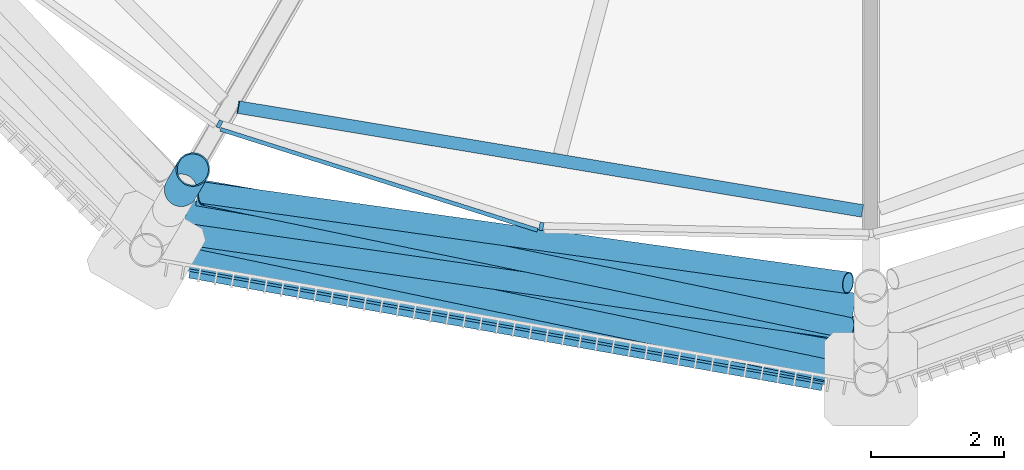
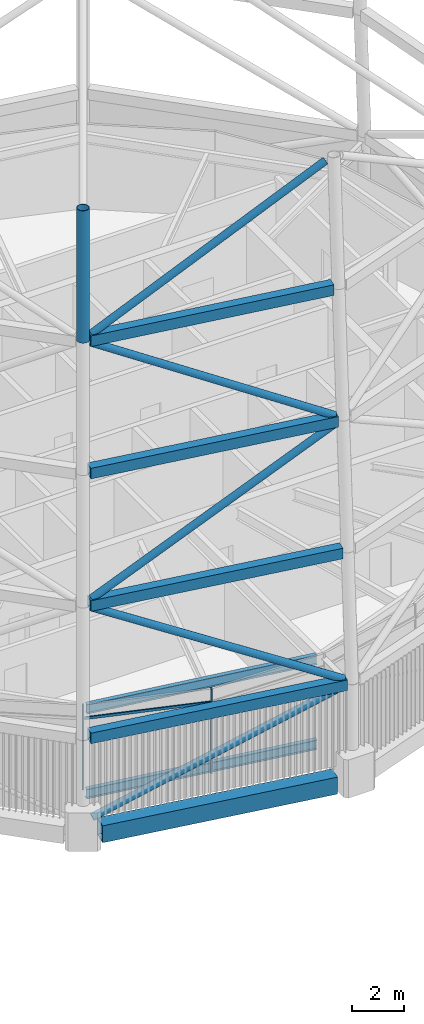
# One storey, part 37 of 71: 9 members, 7 beams, 1 element without a shape of its own.
"""IFC4 building model written with IfcOpenShell, lengths in metres."""

import ifcopenshell
import ifcopenshell.guid

model = None  # the IFC model being written
_history = None  # IfcOwnerHistory: only IFC2X3 demands one
_inside = {}  # id of a spatial element -> (the spatial element, [elements in it])
_under = {}  # id of a project, library or spatial element -> (it, [spatial elements below it])
_declared = {}  # id of a project -> (the project, [libraries it declares])
_typed = {}  # id of a type object -> (the type object, [elements of that type])
_made_of = {}  # id of a material, layer set ... -> (it, [elements and type objects made of it])


def new_model(schema):
    """Start an empty IFC model of exactly this schema.

    Asked for "IFC4X3", IfcOpenShell would pick the latest addendum, in which some entities
    have other attributes; the version numbers below select the first issue.
    IFC2X3 requires an IfcOwnerHistory on every rooted entity: one is made here for all.
    """
    global model, _history
    if schema == "IFC4X3":
        model = ifcopenshell.file(schema_version=(4, 3, 0, 0))
    else:
        model = ifcopenshell.file(schema=schema)
    _inside.clear()
    _under.clear()
    _declared.clear()
    _typed.clear()
    _made_of.clear()
    _history = None
    if model.schema == "IFC2X3":
        org = make("IfcOrganization", Name="unknown")
        user = make(
            "IfcPersonAndOrganization",
            ThePerson=make("IfcPerson", FamilyName="unknown"),
            TheOrganization=org,
        )
        app = make(
            "IfcApplication",
            ApplicationDeveloper=org,
            Version="unknown",
            ApplicationFullName="unknown",
            ApplicationIdentifier="unknown",
        )
        _history = make(
            "IfcOwnerHistory",
            OwningUser=user,
            OwningApplication=app,
            ChangeAction="ADDED",
            CreationDate=0,
        )
    return model


def make(cls, **values):
    """One entity of the class cls with the attributes given. An attribute that is None is left unset."""
    return model.create_entity(
        cls, **{name: value for name, value in values.items() if value is not None}
    )


def rooted(cls, **values):
    """An entity with a GlobalId (a new one), such as an element, a storey or a relation."""
    return make(cls, GlobalId=ifcopenshell.guid.new(), OwnerHistory=_history, **values)


def si_unit(unit_type, name, prefix=None):
    """IfcSIUnit, for example si_unit("LENGTHUNIT", "METRE", prefix="MILLI")."""
    return make("IfcSIUnit", UnitType=unit_type, Prefix=prefix, Name=name)


def assignment(units):
    """IfcUnitAssignment: the units of a project."""
    return None if units is None else make("IfcUnitAssignment", Units=units)


def point(xyz):
    """IfcCartesianPoint."""
    return None if xyz is None else make("IfcCartesianPoint", Coordinates=xyz)


def direction(xyz):
    """IfcDirection."""
    return None if xyz is None else make("IfcDirection", DirectionRatios=xyz)


def frame(location, z_axis=None, x_axis=None):
    """IfcAxis2Placement3D, a coordinate frame: its origin and axes. An axis left out is left unset."""
    return make(
        "IfcAxis2Placement3D",
        Location=point(location),
        Axis=direction(z_axis),
        RefDirection=direction(x_axis),
    )


def frame_2d(location, x_axis=None):
    """IfcAxis2Placement2D, a coordinate frame in the plane: its origin and x axis."""
    return make(
        "IfcAxis2Placement2D", Location=point(location), RefDirection=direction(x_axis)
    )


def origin():
    """The frame at (0, 0, 0) with its axes left unset."""
    return frame((0.0, 0.0, 0.0))


def origin_2d():
    """The frame at (0, 0) in the plane with its x axis left unset."""
    return frame_2d((0.0, 0.0))


def place(relative_to, where):
    """IfcLocalPlacement: puts the frame where relative to a parent placement (None: the world)."""
    return make(
        "IfcLocalPlacement", PlacementRelTo=relative_to, RelativePlacement=where
    )


def context(
    kind, dimensions, precision=None, world=None, true_north=None, identifier=None
):
    """IfcGeometricRepresentationContext, for example the 3D "Model" context."""
    return make(
        "IfcGeometricRepresentationContext",
        ContextIdentifier=identifier,
        ContextType=kind,
        CoordinateSpaceDimension=dimensions,
        Precision=precision,
        WorldCoordinateSystem=world,
        TrueNorth=true_north,
    )


def subcontext(parent, identifier, kind, view, scale=None):
    """IfcGeometricRepresentationSubContext, for example "Body" below "Model"."""
    return make(
        "IfcGeometricRepresentationSubContext",
        ContextIdentifier=identifier,
        ContextType=kind,
        ParentContext=parent,
        TargetScale=scale,
        TargetView=view,
    )


def project(units=None, contexts=None):
    """IfcProject with its units and contexts."""
    return rooted(
        "IfcProject",
        Name="project",
        RepresentationContexts=contexts,
        UnitsInContext=assignment(units),
    )


def spatial(cls, under=None, at=None, **own):
    """A site, building, storey or space (cls), placed at a placement, below another one or the project."""
    s = rooted(cls, ObjectPlacement=at, **own)
    if under is not None:
        _under.setdefault(under.id(), (under, []))[1].append(s)
    return s


def profile(cls, at=None, kind="AREA", **sizes):
    """A parametric profile (cls). Its sizes go by their IFC names, for example OverallWidth=200.0."""
    return make(cls, ProfileType=kind, Position=at, **sizes)


def rectangle(**sizes):
    """IfcRectangleProfileDef."""
    return profile("IfcRectangleProfileDef", **sizes)


def hollow_rectangle(**sizes):
    """IfcRectangleHollowProfileDef."""
    return profile("IfcRectangleHollowProfileDef", **sizes)


def hollow_circle(**sizes):
    """IfcCircleHollowProfileDef."""
    return profile("IfcCircleHollowProfileDef", **sizes)


def i_section(**sizes):
    """IfcIShapeProfileDef."""
    return profile("IfcIShapeProfileDef", **sizes)


def extrude(swept, where, along, depth):
    """IfcExtrudedAreaSolid: the profile swept, set in the frame where, extruded along a direction by depth."""
    return make(
        "IfcExtrudedAreaSolid",
        SweptArea=swept,
        Position=where,
        ExtrudedDirection=direction(along),
        Depth=depth,
    )


def shape(context_of_items, identifier, shape_type, items):
    """IfcShapeRepresentation: the items that make up one representation, for example the "Body"."""
    return make(
        "IfcShapeRepresentation",
        ContextOfItems=context_of_items,
        RepresentationIdentifier=identifier,
        RepresentationType=shape_type,
        Items=items,
    )


def material(Name=None, Category=None):
    """IfcMaterial."""
    return make("IfcMaterial", Name=Name, Category=Category)


def material_profile(
    of_material, cross_section, Name=None, Category=None, Priority=None
):
    """IfcMaterialProfile: a cross section and its material."""
    return make(
        "IfcMaterialProfile",
        Name=Name,
        Material=of_material,
        Profile=cross_section,
        Priority=Priority,
        Category=Category,
    )


def profile_set(profiles, Name=None, composite=None):
    """IfcMaterialProfileSet."""
    return make(
        "IfcMaterialProfileSet",
        Name=Name,
        MaterialProfiles=profiles,
        CompositeProfile=composite,
    )


def made_of(thing, what):
    """Note that an element or type object is made of a material, layer set ...; save() writes the relation."""
    if what is not None:
        _made_of.setdefault(what.id(), (what, []))[1].append(thing)
    return thing


def type_object(cls, material=None, **own):
    """A type object (cls), such as IfcWallType, which elements share."""
    return made_of(rooted(cls, **own), material)


def element(
    cls,
    number,
    at=None,
    inside=None,
    cuts=None,
    type_object=None,
    material=None,
    context=None,
    identifier="Body",
    shape_type=None,
    held_by="IfcProductDefinitionShape",
    body=None,
    shapes=None,
    **own,
):
    """One element of the class cls, such as IfcWall. Its Tag is "e" and its number.

    at: its placement. inside: the storey or other place that contains it. cuts: it is an
    opening in that element (IfcRelVoidsElement). A single representation is given by context,
    identifier, shape_type and body (its items); several are given by shapes. held_by: the class
    of the entity that holds the representations. save() writes the other relations.
    """
    e = rooted(cls, Tag="e%d" % number, ObjectPlacement=at, **own)
    if body is not None:
        shapes = [shape(context, identifier, shape_type, body)]
    if shapes is not None:
        e.Representation = make(held_by, Representations=shapes)
    if inside is not None:
        _inside.setdefault(inside.id(), (inside, []))[1].append(e)
    if cuts is not None:
        rooted(
            "IfcRelVoidsElement", RelatingBuildingElement=cuts, RelatedOpeningElement=e
        )
    if type_object is not None:
        _typed.setdefault(type_object.id(), (type_object, []))[1].append(e)
    return made_of(e, material)


def aggregate(whole, parts):
    """IfcRelAggregates: a whole, such as a stair, and the parts it consists of."""
    return rooted("IfcRelAggregates", RelatingObject=whole, RelatedObjects=parts)


def save(model, path):
    """Write the relations noted so far, then the file.

    IfcRelAggregates (storeys below a building ...), IfcRelContainedInSpatialStructure (elements
    in a storey), IfcRelDefinesByType, IfcRelAssociatesMaterial and IfcRelDeclares: one each for
    every whole, place, type object, material and project.
    """
    for whole, parts in _under.values():
        aggregate(whole, parts)
    for where, things in _inside.values():
        rooted(
            "IfcRelContainedInSpatialStructure",
            RelatedElements=things,
            RelatingStructure=where,
        )
    for kind, things in _typed.values():
        rooted("IfcRelDefinesByType", RelatedObjects=things, RelatingType=kind)
    for what, things in _made_of.values():
        rooted("IfcRelAssociatesMaterial", RelatedObjects=things, RelatingMaterial=what)
    for by, libraries in _declared.values():
        rooted("IfcRelDeclares", RelatingContext=by, RelatedDefinitions=libraries)
    model.write(path)


model = new_model("IFC4")

# Units and contexts
model_context = context("Model", 3, precision=1e-05, world=origin(), true_north=direction((0.0, 1.0)))
body_context = subcontext(model_context, "Body", "Model", "MODEL_VIEW")
ifc_project = project(units=[si_unit("LENGTHUNIT", "METRE"), si_unit("AREAUNIT", "SQUARE_METRE"), si_unit("VOLUMEUNIT", "CUBIC_METRE"), si_unit("PLANEANGLEUNIT", "RADIAN"), si_unit("MASSUNIT", "GRAM", prefix="KILO")], contexts=[model_context])

# Site, building, storey
site_placement = place(None, origin())
site = spatial("IfcSite", under=ifc_project, at=site_placement, CompositionType="ELEMENT")
building_placement = place(site_placement, origin())
building = spatial("IfcBuilding", under=site, at=building_placement, Name="Rimbun Link Towers", CompositionType="ELEMENT")
storey_placement = place(building_placement, frame((0.0, 0.0, 267.60009765625)))
storey = spatial("IfcBuildingStorey", under=building, at=storey_placement, Name="L65", CompositionType="ELEMENT", Elevation=267.60009765625)

# Curtain wall, members
ifc_material_1 = material(Name="Aluminium 6063-T6 louvre wall", Category="aluminium")
curtain_wall_type = type_object("IfcCurtainWallType", Name="CW6 plant floor louvre wall", PredefinedType="NOTDEFINED", material=ifc_material_1)
curtain_wall_placement = place(storey_placement, origin())
curtain_wall = element("IfcCurtainWall", 1, at=curtain_wall_placement, inside=storey, type_object=curtain_wall_type, Name="CW6 L65 T2", PredefinedType="NOTDEFINED")
ifc_material_2 = material(Name="Aluminium 6063-T6", Category="aluminium")
ifc_material_profile_1 = material_profile(ifc_material_2, rectangle(XDim=0.1201171875, YDim=0.06005859375, at=origin_2d()), Name="MULLION 60X120")
ifc_profile_set_1 = profile_set([ifc_material_profile_1], Name="Aluminium 6063-T6")
member_type_1 = type_object("IfcMemberType", Name="CW6 mullion 60X120", PredefinedType="MULLION", material=ifc_profile_set_1)
member_1_placement = place(storey_placement, frame((21.963623046875, -16.95751953125, 0.0), z_axis=(0.0, 0.0, 1.0), x_axis=(-0.448562969651, -0.893751230633, 0.0)))
member_1 = element("IfcMember", 2, at=member_1_placement, type_object=member_type_1, Name="CW6 mullion", PredefinedType="MULLION", context=body_context, shape_type="SweptSolid", body=[
    extrude(rectangle(XDim=0.1201171875, YDim=0.06005859375, at=origin_2d()), origin(), (0.0, 0.0, 1.0), 4.0),
])
member_2_placement = place(storey_placement, frame((26.80029296875, -18.49560546875, 0.0), z_axis=(0.0, 0.0, 1.0), x_axis=(-0.163740964052, -0.986503368819, 0.0)))
member_2 = element("IfcMember", 3, at=member_2_placement, type_object=member_type_1, Name="CW6 mullion", PredefinedType="MULLION", context=body_context, shape_type="SweptSolid", body=[
    extrude(rectangle(XDim=0.1201171875, YDim=0.06005859375, at=origin_2d()), origin(), (0.0, 0.0, 1.0), 4.0),
])
ifc_material_3 = material(Name="Aluminium 6063-T6", Category="aluminium")
ifc_material_profile_2 = material_profile(ifc_material_3, rectangle(XDim=0.06005859375, YDim=0.1201171875, at=origin_2d()), Name="TRANSOM 60X120")
ifc_profile_set_2 = profile_set([ifc_material_profile_2], Name="Aluminium 6063-T6")
member_type_2 = type_object("IfcMemberType", Name="CW6 transom 60X120", PredefinedType="USERDEFINED", material=ifc_profile_set_2)
member_3_placement = place(storey_placement, frame((26.741943359375, -18.55126953125, 3.39990234375), z_axis=(-0.952974531484, 0.303050395714, 0.0), x_axis=(-0.303050395714, -0.952974531484, 0.0)))
member_3 = element("IfcMember", 4, at=member_3_placement, type_object=member_type_2, Name="CW6 transom", ObjectType="TRANSOM", PredefinedType="USERDEFINED", context=body_context, shape_type="SweptSolid", body=[
    extrude(rectangle(XDim=0.06005859375, YDim=0.1201171875, at=origin_2d()), origin(), (0.0, 0.0, 1.0), 4.997314453125),
])
aggregate(curtain_wall, [member_1, member_2, member_3])

# Members
ifc_material_4 = material(Name="Steel S355J2H", Category="steel")
ifc_material_profile_3 = material_profile(ifc_material_4, hollow_circle(Radius=0.161865234375, WallThickness=0.011962890625, at=origin_2d()), Name="Crown frame brace CHS 324x12")
ifc_profile_set_3 = profile_set([ifc_material_profile_3], Name="Steel S355J2H")
member_type_3 = type_object("IfcMemberType", Name="Crown frame brace CHS 324x12", PredefinedType="BRACE", material=ifc_profile_set_3)
member_4_placement = place(storey_placement, frame((21.23583984375, -18.918212890625, 0.135986328125), z_axis=(0.925781566511, -0.16486215819, 0.34021898816), x_axis=(0.175320698059, 0.984511377706, 0.0)))
element("IfcMember", 5, at=member_4_placement, inside=storey, type_object=member_type_3, Name="CROWN FRAME brace T2 1-06", PredefinedType="BRACE", context=body_context, shape_type="SweptSolid", body=[
    extrude(hollow_circle(Radius=0.161865234375, WallThickness=0.011962890625, at=origin_2d()), origin(), (0.0, 0.0, 1.0), 10.95703125),
])
member_5_placement = place(storey_placement, frame((31.40673828125, -20.71875, 4.192138671875), z_axis=(-0.858220840422, 0.1796130331, 0.480828605021), x_axis=(-0.204847218503, -0.97879396048, 0.0)))
element("IfcMember", 6, at=member_5_placement, inside=storey, type_object=member_type_3, Name="CROWN FRAME brace T2 2-06", PredefinedType="BRACE", context=body_context, shape_type="SweptSolid", body=[
    extrude(hollow_circle(Radius=0.161865234375, WallThickness=0.011962890625, at=origin_2d()), origin(), (0.0, 0.0, 1.0), 11.6787109375),
])
member_6_placement = place(storey_placement, frame((21.38671875, -18.59912109375, 10.19384765625), z_axis=(0.865617190084, -0.124578832743, 0.484960817657), x_axis=(0.142451368318, 0.989801802213, 0.0)))
element("IfcMember", 7, at=member_6_placement, inside=storey, type_object=member_type_3, Name="CROWN FRAME brace T2 3-06", PredefinedType="BRACE", context=body_context, shape_type="SweptSolid", body=[
    extrude(hollow_circle(Radius=0.161865234375, WallThickness=0.011962890625, at=origin_2d()), origin(), (0.0, 0.0, 1.0), 11.572265625),
])
member_7_placement = place(storey_placement, frame((31.4091796875, -20.02001953125, 16.197265625), z_axis=(-0.85174452733, 0.176575679867, 0.493307499886), x_axis=(-0.202994385372, -0.979179901503, 0.0)))
element("IfcMember", 8, at=member_7_placement, inside=storey, type_object=member_type_3, Name="CROWN FRAME brace T2 4-06", PredefinedType="BRACE", context=body_context, shape_type="SweptSolid", body=[
    extrude(hollow_circle(Radius=0.161865234375, WallThickness=0.011962890625, at=origin_2d()), origin(), (0.0, 0.0, 1.0), 11.362548828125),
])
member_8_placement = place(storey_placement, frame((21.734130859375, -17.990966796875, 22.198974609375), z_axis=(0.859090258531, -0.120044516917, 0.497547225554), x_axis=(0.138389914338, 0.990377822656, 0.0)))
element("IfcMember", 9, at=member_8_placement, inside=storey, type_object=member_type_3, Name="CROWN FRAME brace T2 5-06", PredefinedType="BRACE", context=body_context, shape_type="SweptSolid", body=[
    extrude(hollow_circle(Radius=0.161865234375, WallThickness=0.011962890625, at=origin_2d()), origin(), (0.0, 0.0, 1.0), 11.2587890625),
])
ifc_material_5 = material(Name="Steel S355J2H", Category="steel")
ifc_material_profile_4 = material_profile(ifc_material_5, hollow_circle(Radius=0.25390625, WallThickness=0.02001953125, at=origin_2d()), Name="Crown frame post CHS 508x20")
ifc_profile_set_4 = profile_set([ifc_material_profile_4], Name="Steel S355J2H")
member_type_4 = type_object("IfcMemberType", Name="Crown frame post CHS 508x20", PredefinedType="POST", material=ifc_profile_set_4)
member_9_placement = place(storey_placement, frame((21.390625, -17.943115234375, 22.0), z_axis=(0.029125258621, 0.050451284808, 0.998301751562), x_axis=(-0.866046247233, 0.49996389635, 0.0)))
element("IfcMember", 10, at=member_9_placement, inside=storey, type_object=member_type_4, Name="CROWN FRAME post T2 5-06", PredefinedType="POST", context=body_context, shape_type="SweptSolid", body=[
    extrude(hollow_circle(Radius=0.25390625, WallThickness=0.02001953125, at=origin_2d()), origin(), (0.0, 0.0, 1.0), 6.01025390625),
])

# Beams
ifc_material_6 = material(Name="Steel S355J2", Category="steel")
ifc_material_profile_5 = material_profile(ifc_material_6, hollow_rectangle(XDim=0.39990234375, YDim=0.5, WallThickness=0.02001953125, at=origin_2d()), Name="Crown frame ring beam BOX 400x500x20")
ifc_profile_set_5 = profile_set([ifc_material_profile_5], Name="Steel S355J2")
beam_type_1 = type_object("IfcBeamType", Name="Crown frame ring beam BOX 400x500x20", PredefinedType="BEAM", material=ifc_profile_set_5)
beam_1_placement = place(storey_placement, frame((21.11572265625, -18.896728515625, 4.0), z_axis=(0.984509011311, -0.175333986004, 0.0), x_axis=(0.175333986004, 0.984509011311, 0.0)))
element("IfcBeam", 11, at=beam_1_placement, inside=storey, type_object=beam_type_1, Name="CROWN FRAME ring beam T2 1-06", PredefinedType="BEAM", context=body_context, shape_type="SweptSolid", body=[
    extrude(hollow_rectangle(XDim=0.39990234375, YDim=0.5, WallThickness=0.02001953125, at=origin_2d()), origin(), (0.0, 0.0, 1.0), 10.547607421875),
])
beam_2_placement = place(storey_placement, frame((21.290771484375, -18.593505859375, 10.0), z_axis=(0.984765298648, -0.17388877646, 0.0), x_axis=(0.17388877646, 0.984765298648, 0.0)))
element("IfcBeam", 12, at=beam_2_placement, inside=storey, type_object=beam_type_1, Name="CROWN FRAME ring beam T2 2-06", PredefinedType="BEAM", context=body_context, shape_type="SweptSolid", body=[
    extrude(hollow_rectangle(XDim=0.39990234375, YDim=0.5, WallThickness=0.02001953125, at=origin_2d()), origin(), (0.0, 0.0, 1.0), 10.3671875),
])
beam_3_placement = place(storey_placement, frame((21.4658203125, -18.289794921875, 16.0), z_axis=(0.985015507756, -0.172465792204, 0.0), x_axis=(0.172465792204, 0.985015507756, 0.0)))
element("IfcBeam", 13, at=beam_3_placement, inside=storey, type_object=beam_type_1, Name="CROWN FRAME ring beam T2 3-06", PredefinedType="BEAM", context=body_context, shape_type="SweptSolid", body=[
    extrude(hollow_rectangle(XDim=0.39990234375, YDim=0.5, WallThickness=0.02001953125, at=origin_2d()), origin(), (0.0, 0.0, 1.0), 10.1865234375),
])
beam_4_placement = place(storey_placement, frame((21.640869140625, -17.986328125, 22.0), z_axis=(0.985277402755, -0.170963269801, 0.0), x_axis=(0.170963269801, 0.985277402755, 0.0)))
element("IfcBeam", 14, at=beam_4_placement, inside=storey, type_object=beam_type_1, Name="CROWN FRAME ring beam T2 4-06", PredefinedType="BEAM", context=body_context, shape_type="SweptSolid", body=[
    extrude(hollow_rectangle(XDim=0.39990234375, YDim=0.5, WallThickness=0.02001953125, at=origin_2d()), origin(), (0.0, 0.0, 1.0), 10.006103515625),
])
ifc_material_7 = material(Name="Steel S355J2", Category="steel")
ifc_material_profile_6 = material_profile(ifc_material_7, hollow_rectangle(XDim=0.60009765625, YDim=0.800048828125, WallThickness=0.0400390625, at=origin_2d()), Name="Exoskeleton ring girder BOX 600x800x40")
ifc_profile_set_6 = profile_set([ifc_material_profile_6], Name="Steel S355J2")
beam_type_2 = type_object("IfcBeamType", Name="Exoskeleton ring girder BOX 600x800x40", PredefinedType="BEAM", material=ifc_profile_set_6)
beam_5_placement = place(storey_placement, frame((21.5546875, -18.97509765625, -0.56005859375), z_axis=(0.984515121725, -0.175299672263, 0.0), x_axis=(0.175299672263, 0.984515121725, 0.0)))
element("IfcBeam", 15, at=beam_5_placement, inside=storey, type_object=beam_type_2, Name="Exoskeleton ring girder L65 06", PredefinedType="BEAM", context=body_context, shape_type="SweptSolid", body=[
    extrude(hollow_rectangle(XDim=0.60009765625, YDim=0.800048828125, WallThickness=0.0400390625, at=origin_2d()), origin(), (0.0, 0.0, 1.0), 9.655517578125),
])
ifc_material_8 = material(Name="Steel S355J2", Category="steel")
ifc_material_profile_7 = material_profile(ifc_material_8, i_section(OverallWidth=0.18994140625, OverallDepth=0.453369140625, WebThickness=0.008544921875, FlangeThickness=0.0126953125, at=origin_2d()), Name="UB 457x191x67")
ifc_profile_set_7 = profile_set([ifc_material_profile_7], Name="Steel S355J2")
beam_type_3 = type_object("IfcBeamType", Name="UB 457x191x67", PredefinedType="BEAM", material=ifc_profile_set_7)
beam_6_placement = place(storey_placement, frame((22.239501953125, -16.702392578125, -0.4267578125), z_axis=(0.986461824262, -0.163991064613, 0.0), x_axis=(0.163991064613, 0.986461824262, 0.0)))
element("IfcBeam", 16, at=beam_6_placement, inside=storey, type_object=beam_type_3, Name="Edge beam T2 L65 13-15", PredefinedType="BEAM", context=body_context, shape_type="SweptSolid", body=[
    extrude(i_section(OverallWidth=0.18994140625, OverallDepth=0.453369140625, WebThickness=0.008544921875, FlangeThickness=0.0126953125, at=origin_2d()), origin(), (0.0, 0.0, 1.0), 9.511474609375),
])
beam_7_placement = place(storey_placement, frame((22.253173828125, -16.70458984375, 3.5732421875), z_axis=(0.986460537084, -0.163998807239, 0.0), x_axis=(0.163998807239, 0.986460537084, 0.0)))
element("IfcBeam", 17, at=beam_7_placement, inside=storey, type_object=beam_type_3, Name="Edge beam T2 L65 13-15", PredefinedType="BEAM", context=body_context, shape_type="SweptSolid", body=[
    extrude(i_section(OverallWidth=0.18994140625, OverallDepth=0.453369140625, WebThickness=0.008544921875, FlangeThickness=0.0126953125, at=origin_2d()), origin(), (0.0, 0.0, 1.0), 9.497802734375),
])

save(model, "model.ifc")
